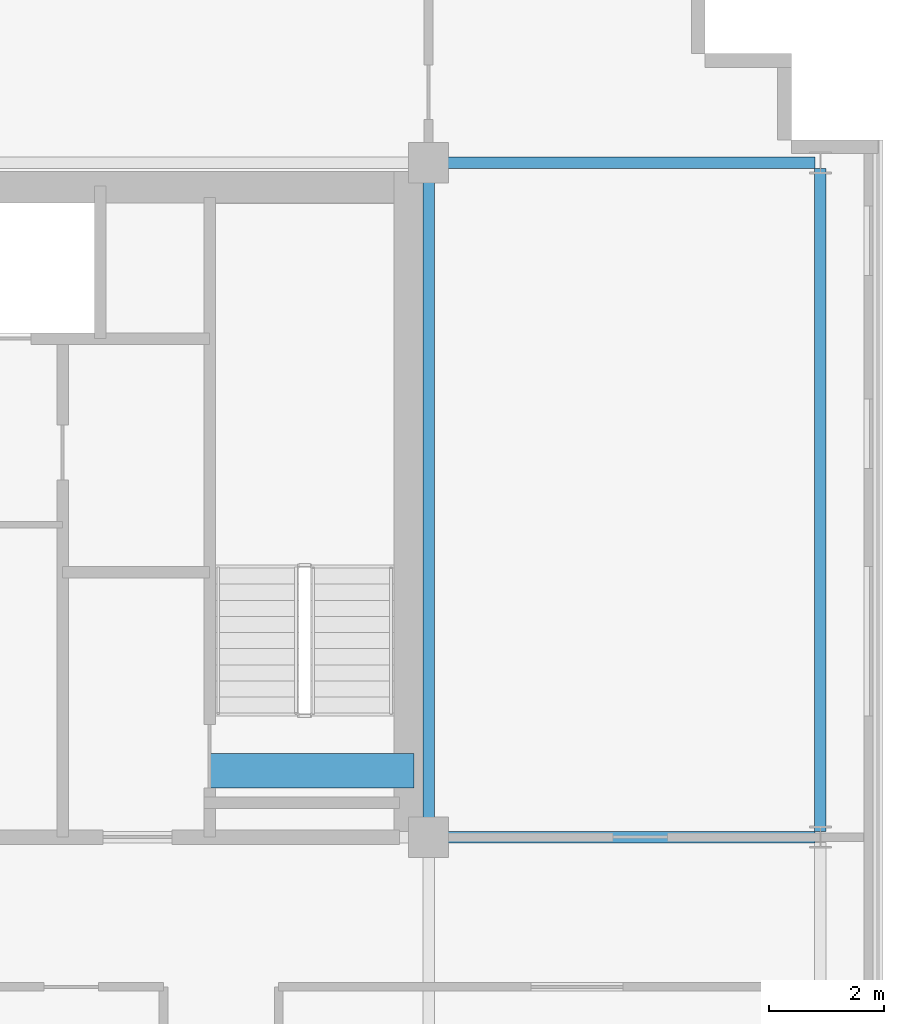
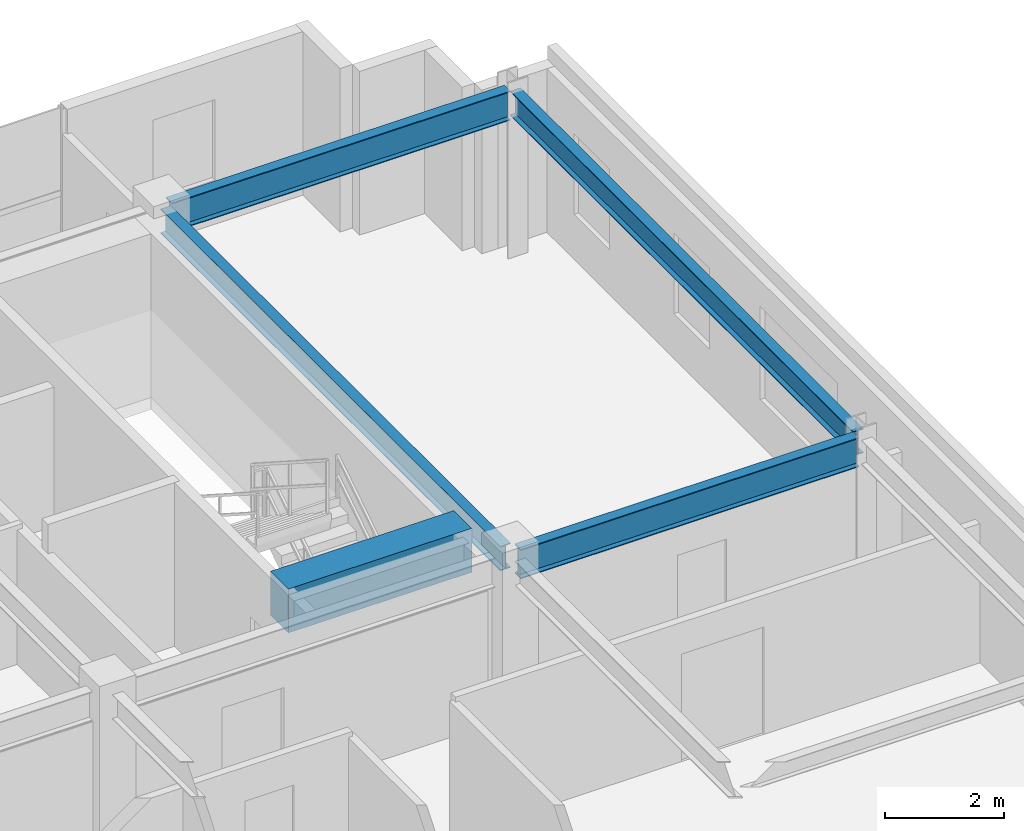
# One storey, part 14 of 24: 5 beams.
"""IFC4 building model written with IfcOpenShell, lengths in metres."""

from ifc_helpers import new_model, si_unit, direction, frame, origin, origin_2d, place, context, subcontext, project, spatial, rectangle, i_section, extrude, source, transform, mapped, material, material_profile, profile_set, type_object, element, save


model = new_model("IFC4")

# Units and contexts
model_context = context("Model", 3, precision=1e-05, world=origin(), true_north=direction((0.0, 1.0)))
body_context = subcontext(model_context, "Body", "Model", "MODEL_VIEW")
ifc_project = project(units=[si_unit("LENGTHUNIT", "METRE"), si_unit("AREAUNIT", "SQUARE_METRE"), si_unit("VOLUMEUNIT", "CUBIC_METRE"), si_unit("PLANEANGLEUNIT", "RADIAN"), si_unit("MASSUNIT", "GRAM", prefix="KILO")], contexts=[model_context])

# Site, building, storey
site_placement = place(None, origin())
site = spatial("IfcSite", under=ifc_project, at=site_placement, CompositionType="ELEMENT")
building_placement = place(site_placement, origin())
building = spatial("IfcBuilding", under=site, at=building_placement, Name="Trelvane Seafront Commons", CompositionType="ELEMENT")
storey_placement = place(building_placement, frame((0.0, 0.0, 175.300048828125)))
storey = spatial("IfcBuildingStorey", under=building, at=storey_placement, Name="L46", CompositionType="ELEMENT", Elevation=175.300048828125)

# Beams
ifc_material_1 = material(Name="Concrete C60/75", Category="concrete")
ifc_material_profile_1 = material_profile(ifc_material_1, rectangle(XDim=0.60009765625, YDim=0.89990234375, at=origin_2d()), Name="RC-600x900")
ifc_profile_set_1 = profile_set([ifc_material_profile_1], Name="Concrete C60/75")
beam_type_1 = type_object("IfcBeamType", Name="STR-LNT-RC600x900", PredefinedType="LINTEL", material=ifc_profile_set_1)
shared_shape_1 = source(origin(), body_context, "Body", "SweptSolid", [
    extrude(rectangle(XDim=0.60009765625, YDim=0.89990234375, at=origin_2d()), origin(), (0.0, 0.0, 1.0), 3.550048828125),
])
beam_1_placement = place(storey_placement, frame((55.0, 34.550048828125, 2.89990234375), z_axis=(1.0, 0.0, 0.0), x_axis=(0.0, 1.0, 0.0)))
element("IfcBeam", 1, at=beam_1_placement, inside=storey, type_object=beam_type_1, Name="L46 Core Coupling Lintel Beam CB-66", PredefinedType="LINTEL", context=body_context, shape_type="MappedRepresentation", body=[
    mapped(shared_shape_1, transform((0.0, 0.0, 0.0), x_axis=(1.0, 0.0, 0.0), y_axis=(0.0, 1.0, 0.0), z_axis=(0.0, 0.0, 1.0), scale=1.0)),
])
ifc_material_2 = material(Name="Steel SM355 (S355)", Category="steel")
ifc_material_profile_2 = material_profile(ifc_material_2, i_section(OverallWidth=0.199951171875, OverallDepth=0.5, WebThickness=0.010009765625, FlangeThickness=0.01611328125, at=origin_2d()), Name="H-500x200x10x16")
ifc_profile_set_2 = profile_set([ifc_material_profile_2], Name="Steel SM355 (S355)")
beam_type_2 = type_object("IfcBeamType", Name="STR-BM-H500", PredefinedType="BEAM", material=ifc_profile_set_2)
shared_shape_2 = source(origin(), body_context, "Body", "SweptSolid", [
    extrude(i_section(OverallWidth=0.199951171875, OverallDepth=0.5, WebThickness=0.010009765625, FlangeThickness=0.01611328125, at=origin_2d()), origin(), (0.0, 0.0, 1.0), 11.39990234375),
])
beam_2_placement = place(storey_placement, frame((58.800048828125, 33.550048828125, 3.099853515625), z_axis=(0.0, 1.0, 0.0), x_axis=(-1.0, 0.0, 0.0)))
element("IfcBeam", 2, at=beam_2_placement, inside=storey, type_object=beam_type_2, Name="L46 Primary Girder G-49", PredefinedType="BEAM", context=body_context, shape_type="MappedRepresentation", body=[
    mapped(shared_shape_2, transform((0.0, 0.0, 0.0), x_axis=(1.0, 0.0, 0.0), y_axis=(0.0, 1.0, 0.0), z_axis=(0.0, 0.0, 1.0), scale=1.0)),
])
ifc_material_profile_3 = material_profile(ifc_material_2, i_section(OverallWidth=0.199951171875, OverallDepth=0.60009765625, WebThickness=0.010986328125, FlangeThickness=0.01708984375, at=origin_2d()), Name="H-600x200x11x17")
ifc_profile_set_3 = profile_set([ifc_material_profile_3], Name="Steel SM355 (S355)")
beam_type_3 = type_object("IfcBeamType", Name="STR-SPD-H600", PredefinedType="SPANDREL", material=ifc_profile_set_3)
shared_shape_3 = source(origin(), body_context, "Body", "SweptSolid", [
    extrude(i_section(OverallWidth=0.199951171875, OverallDepth=0.60009765625, WebThickness=0.010986328125, FlangeThickness=0.01708984375, at=origin_2d()), origin(), (0.0, 0.0, 1.0), 6.554931640625),
])
for number, where, z_axis, x_axis, name in (
    (3, (58.949951171875, 33.39990234375, 3.050048828125), (1.0, 0.0, 0.0), (0.0, 1.0, 0.0), "L46 Primary Girder G-21"),
    (4, (58.949951171875, 45.10009765625, 3.050048828125), (1.0, 0.0, 0.0), (0.0, 1.0, 0.0), "L46 Primary Girder G-28"),
):
    element("IfcBeam", number, at=place(storey_placement, frame(where, z_axis=z_axis, x_axis=x_axis)), inside=storey, type_object=beam_type_3, Name=name, PredefinedType="SPANDREL", context=body_context, shape_type="MappedRepresentation", body=[
        mapped(shared_shape_3, transform((0.0, 0.0, 0.0), x_axis=(1.0, 0.0, 0.0), y_axis=(0.0, 1.0, 0.0), z_axis=(0.0, 0.0, 1.0), scale=1.0)),
    ])
shared_shape_4 = source(origin(), body_context, "Body", "SweptSolid", [
    extrude(i_section(OverallWidth=0.199951171875, OverallDepth=0.5, WebThickness=0.010009765625, FlangeThickness=0.01611328125, at=origin_2d()), origin(), (0.0, 0.0, 1.0), 11.509765625),
])
beam_3_placement = place(storey_placement, frame((65.60009765625, 33.4951171875, 3.099853515625), z_axis=(0.0, 1.0, 0.0), x_axis=(-1.0, 0.0, 0.0)))
element("IfcBeam", 5, at=beam_3_placement, inside=storey, type_object=beam_type_2, Name="L46 Primary Girder G-52", PredefinedType="BEAM", context=body_context, shape_type="MappedRepresentation", body=[
    mapped(shared_shape_4, transform((0.0, 0.0, 0.0), x_axis=(1.0, 0.0, 0.0), y_axis=(0.0, 1.0, 0.0), z_axis=(0.0, 0.0, 1.0), scale=1.0)),
])

save(model, "model.ifc")
